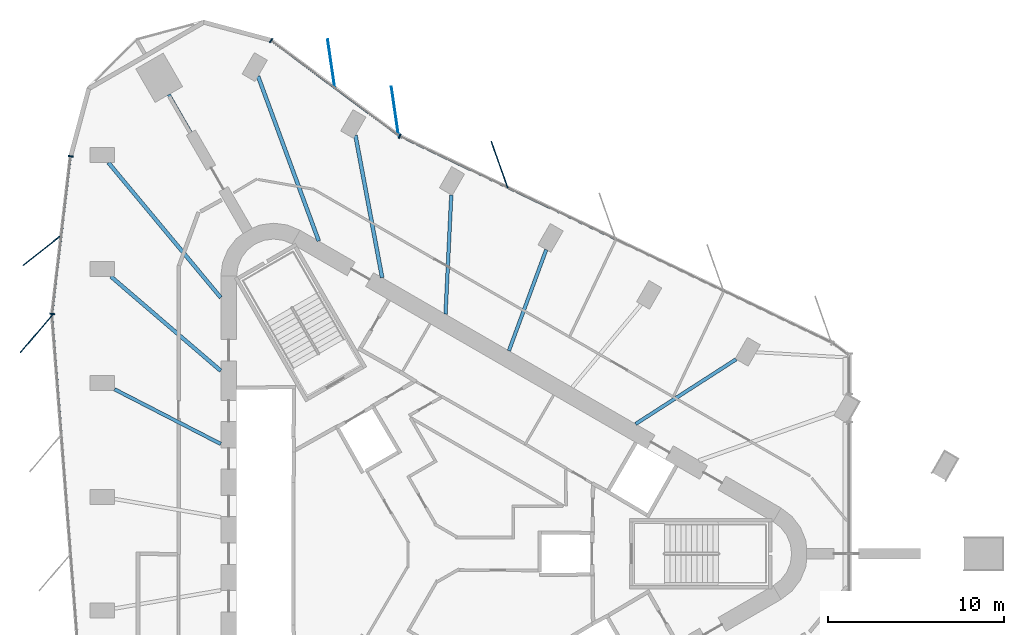
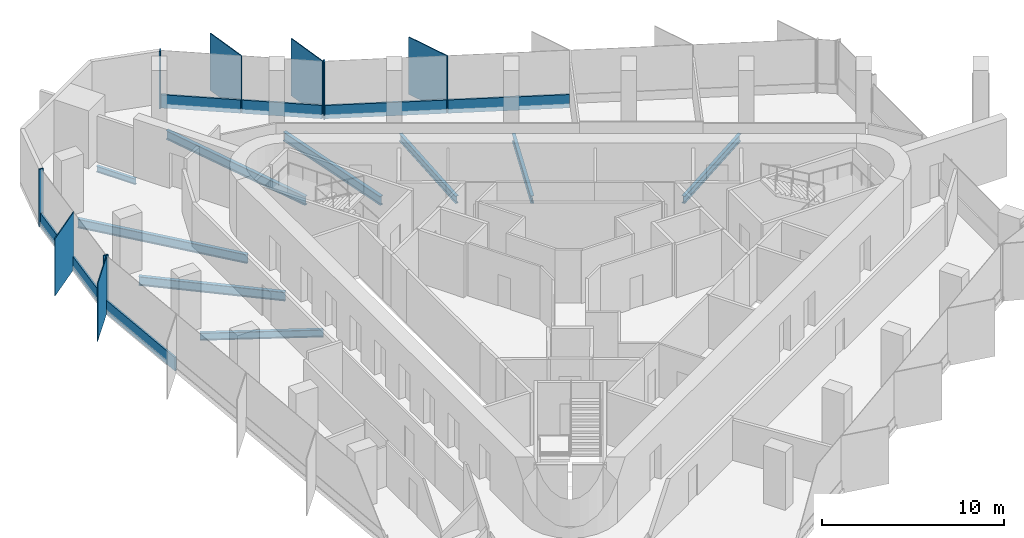
# One storey, part 4 of 12: 16 members, 9 beams, 4 elements without a shape of their own.
"""IFC4 building model written with IfcOpenShell, lengths in metres."""

from ifc_helpers import new_model, si_unit, direction, frame, origin, origin_2d, place, context, subcontext, project, spatial, rectangle, i_section, extrude, material, material_profile, profile_set, type_object, element, aggregate, save


model = new_model("IFC4")

# Units and contexts
model_context = context("Model", 3, precision=1e-05, world=origin(), true_north=direction((0.0, 1.0)))
body_context = subcontext(model_context, "Body", "Model", "MODEL_VIEW")
ifc_project = project(units=[si_unit("LENGTHUNIT", "METRE"), si_unit("AREAUNIT", "SQUARE_METRE"), si_unit("VOLUMEUNIT", "CUBIC_METRE"), si_unit("PLANEANGLEUNIT", "RADIAN"), si_unit("MASSUNIT", "GRAM", prefix="KILO")], contexts=[model_context])

# Site, building, storey
site_placement = place(None, origin())
site = spatial("IfcSite", under=ifc_project, at=site_placement, CompositionType="ELEMENT")
building_placement = place(site_placement, origin())
building = spatial("IfcBuilding", under=site, at=building_placement, Name="Tanit Gate Tower", CompositionType="ELEMENT")
storey_placement = place(building_placement, frame((0.0, 0.0, 388.39990234375)))
storey = spatial("IfcBuildingStorey", under=building, at=storey_placement, Name="L89", CompositionType="ELEMENT", Elevation=388.39990234375)

# Curtain wall, member
ifc_material_1 = material(Name="Aluminium bronze anodised and glass", Category="aluminium")
curtain_wall_type = type_object("IfcCurtainWallType", Name="Curtain wall typical high", PredefinedType="NOTDEFINED", material=ifc_material_1)
curtain_wall_1_placement = place(storey_placement, origin())
curtain_wall_1 = element("IfcCurtainWall", 1, at=curtain_wall_1_placement, inside=storey, type_object=curtain_wall_type, Name="Curtain wall L89 NE2", PredefinedType="NOTDEFINED")
ifc_material_2 = material(Name="Aluminium bronze anodised", Category="aluminium")
ifc_material_profile_1 = material_profile(ifc_material_2, rectangle(XDim=2.800048828125, YDim=0.055908203125, at=origin_2d()), Name="56x2800 bronze fin mullion")
ifc_profile_set_1 = profile_set([ifc_material_profile_1], Name="Aluminium bronze anodised")
member_type_1 = type_object("IfcMemberType", Name="FIN MULLION 56x2800 bronze", PredefinedType="MULLION", material=ifc_profile_set_1)
member_1_placement = place(storey_placement, frame((3.719970703125, 22.080322265625, -0.2998046875), z_axis=(0.0, 0.0, 1.0), x_axis=(0.333220063881, -0.942849080727, 0.0)))
member_1 = element("IfcMember", 2, at=member_1_placement, type_object=member_type_1, Name="Fin mullion L89 NE2.4", PredefinedType="MULLION", context=body_context, shape_type="SweptSolid", body=[
    extrude(rectangle(XDim=2.800048828125, YDim=0.055908203125, at=origin_2d()), origin(), (0.0, 0.0, 1.0), 3.849853515625),
])

# Curtain wall, members
curtain_wall_2_placement = place(storey_placement, origin())
curtain_wall_2 = element("IfcCurtainWall", 3, at=curtain_wall_2_placement, inside=storey, type_object=curtain_wall_type, Name="Curtain wall L89 NE3", PredefinedType="NOTDEFINED")
member_2_placement = place(storey_placement, frame((-2.212646484375, 25.11181640625, -0.2998046875), z_axis=(0.0, 0.0, 1.0), x_axis=(0.144707417984, -0.989474488393, 0.0)))
member_2 = element("IfcMember", 4, at=member_2_placement, type_object=member_type_1, Name="Fin mullion L89 NE3.1", PredefinedType="MULLION", context=body_context, shape_type="SweptSolid", body=[
    extrude(rectangle(XDim=2.800048828125, YDim=0.055908203125, at=origin_2d()), origin(), (0.0, 0.0, 1.0), 3.849853515625),
])
member_3_placement = place(storey_placement, frame((-5.82958984375, 27.8056640625, -0.2998046875), z_axis=(0.0, 0.0, 1.0), x_axis=(0.144707417984, -0.989474488393, 0.0)))
member_3 = element("IfcMember", 5, at=member_3_placement, type_object=member_type_1, Name="Fin mullion L89 NE3.2", PredefinedType="MULLION", context=body_context, shape_type="SweptSolid", body=[
    extrude(rectangle(XDim=2.800048828125, YDim=0.055908203125, at=origin_2d()), origin(), (0.0, 0.0, 1.0), 3.849853515625),
])

# Curtain wall, member
curtain_wall_3_placement = place(storey_placement, origin())
curtain_wall_3 = element("IfcCurtainWall", 6, at=curtain_wall_3_placement, inside=storey, type_object=curtain_wall_type, Name="Curtain wall L89 W1", PredefinedType="NOTDEFINED")
member_4_placement = place(storey_placement, frame((-22.227294921875, 17.230712890625, -0.2998046875), z_axis=(0.0, 0.0, 1.0), x_axis=(0.784556334353, 0.620057544286, 0.0)))
member_4 = element("IfcMember", 7, at=member_4_placement, type_object=member_type_1, Name="Fin mullion L89 W1.2", PredefinedType="MULLION", context=body_context, shape_type="SweptSolid", body=[
    extrude(rectangle(XDim=2.800048828125, YDim=0.055908203125, at=origin_2d()), origin(), (0.0, 0.0, 1.0), 3.849853515625),
])

curtain_wall_4_placement = place(storey_placement, origin())
curtain_wall_4 = element("IfcCurtainWall", 8, at=curtain_wall_4_placement, inside=storey, type_object=curtain_wall_type, Name="Curtain wall L89 W2", PredefinedType="NOTDEFINED")
member_5_placement = place(storey_placement, frame((-22.567138671875, 12.48291015625, -0.2998046875), z_axis=(0.0, 0.0, 1.0), x_axis=(0.649921223903, 0.760001580735, 0.0)))
member_5 = element("IfcMember", 9, at=member_5_placement, type_object=member_type_1, Name="Fin mullion L89 W2.1", PredefinedType="MULLION", context=body_context, shape_type="SweptSolid", body=[
    extrude(rectangle(XDim=2.800048828125, YDim=0.055908203125, at=origin_2d()), origin(), (0.0, 0.0, 1.0), 3.849853515625),
])

# Member
ifc_material_3 = material(Name="Aluminium bronze anodised", Category="aluminium")
ifc_material_profile_2 = material_profile(ifc_material_3, rectangle(XDim=0.280029296875, YDim=0.080078125, at=origin_2d()), Name="80x280 bronze mullion")
ifc_profile_set_2 = profile_set([ifc_material_profile_2], Name="Aluminium bronze anodised")
member_type_2 = type_object("IfcMemberType", Name="Mullion 80x280 typical high", PredefinedType="MULLION", material=ifc_profile_set_2)
member_6_placement = place(storey_placement, frame((-1.94482421875, 23.704833984375, -0.2998046875), z_axis=(0.0, 0.0, 1.0), x_axis=(-0.431072811819, -0.902317145415, 0.0)))
member_6 = element("IfcMember", 10, at=member_6_placement, type_object=member_type_2, Name="Mullion L89 NE2.5", PredefinedType="MULLION", context=body_context, shape_type="SweptSolid", body=[
    extrude(rectangle(XDim=0.280029296875, YDim=0.080078125, at=origin_2d()), origin(), (0.0, 0.0, 1.0), 3.849853515625),
])

member_7_placement = place(storey_placement, frame((-9.246826171875, 29.134033203125, -0.2998046875), z_axis=(0.0, 0.0, 1.0), x_axis=(-0.59734052401, -0.801987717098, 0.0)))
member_7 = element("IfcMember", 11, at=member_7_placement, type_object=member_type_2, Name="Mullion L89 NE3.3", PredefinedType="MULLION", context=body_context, shape_type="SweptSolid", body=[
    extrude(rectangle(XDim=0.280029296875, YDim=0.080078125, at=origin_2d()), origin(), (0.0, 0.0, 1.0), 3.849853515625),
])

member_8_placement = place(storey_placement, frame((-20.620361328125, 22.561279296875, -0.2998046875), z_axis=(0.0, 0.0, 1.0), x_axis=(0.993211998535, -0.116318209953, 0.0)))
member_8 = element("IfcMember", 12, at=member_8_placement, type_object=member_type_2, Name="Mullion L89 W1.1", PredefinedType="MULLION", context=body_context, shape_type="SweptSolid", body=[
    extrude(rectangle(XDim=0.280029296875, YDim=0.080078125, at=origin_2d()), origin(), (0.0, 0.0, 1.0), 3.849853515625),
])

member_9_placement = place(storey_placement, frame((-21.668701171875, 13.611572265625, -0.2998046875), z_axis=(0.0, 0.0, 1.0), x_axis=(0.993211998535, -0.116318209953, 0.0)))
member_9 = element("IfcMember", 13, at=member_9_placement, type_object=member_type_2, Name="Mullion L89 W1.3", PredefinedType="MULLION", context=body_context, shape_type="SweptSolid", body=[
    extrude(rectangle(XDim=0.280029296875, YDim=0.080078125, at=origin_2d()), origin(), (0.0, 0.0, 1.0), 3.849853515625),
])

# Beams
ifc_material_4 = material(Name="Steel S355", Category="steel")
ifc_material_profile_3 = material_profile(ifc_material_4, i_section(OverallWidth=0.179931640625, OverallDepth=0.39990234375, WebThickness=0.008544921875, FlangeThickness=0.013427734375, FilletRadius=0.02099609375, at=origin_2d()), Name="IPE 400")
ifc_profile_set_3 = profile_set([ifc_material_profile_3], Name="Steel S355")
beam_type_1 = type_object("IfcBeamType", Name="RADIAL GIRDER IPE 400 S355", PredefinedType="BEAM", material=ifc_profile_set_3)
beam_1_placement = place(storey_placement, frame((-15.0478515625, 26.063720703125, -0.5), z_axis=(0.499965672037, -0.866045222136, 0.0), x_axis=(0.866045222136, 0.499965672037, 0.0)))
element("IfcBeam", 14, at=beam_1_placement, inside=storey, type_object=beam_type_1, Name="RADIAL GIRDER", PredefinedType="BEAM", context=body_context, shape_type="SweptSolid", body=[
    extrude(i_section(OverallWidth=0.179931640625, OverallDepth=0.39990234375, WebThickness=0.008544921875, FlangeThickness=0.013427734375, FilletRadius=0.02099609375, at=origin_2d()), origin(), (0.0, 0.0, 1.0), 2.490966796875),
])
ifc_material_5 = material(Name="Steel S355", Category="steel")
ifc_material_profile_4 = material_profile(ifc_material_5, i_section(OverallWidth=0.199951171875, OverallDepth=0.5, WebThickness=0.01025390625, FlangeThickness=0.01611328125, FilletRadius=0.02099609375, at=origin_2d()), Name="IPE 500")
ifc_profile_set_4 = profile_set([ifc_material_profile_4], Name="Steel S355")
beam_type_2 = type_object("IfcBeamType", Name="RADIAL GIRDER IPE 500 S355", PredefinedType="BEAM", material=ifc_profile_set_4)
beam_2_placement = place(storey_placement, frame((17.151611328125, 11.036865234375, -0.5498046875), z_axis=(-0.840921151668, -0.541157663419, 0.0), x_axis=(0.541157663419, -0.840921151668, 0.0)))
element("IfcBeam", 15, at=beam_2_placement, inside=storey, type_object=beam_type_2, Name="RADIAL GIRDER", PredefinedType="BEAM", context=body_context, shape_type="SweptSolid", body=[
    extrude(i_section(OverallWidth=0.199951171875, OverallDepth=0.5, WebThickness=0.01025390625, FlangeThickness=0.01611328125, FilletRadius=0.02099609375, at=origin_2d()), origin(), (0.0, 0.0, 1.0), 6.784423828125),
])
beam_3_placement = place(storey_placement, frame((6.3720703125, 17.260498046875, -0.5498046875), z_axis=(-0.346331956525, -0.938112027366, 0.0), x_axis=(0.938112027366, -0.346331956525, 0.0)))
element("IfcBeam", 16, at=beam_3_placement, inside=storey, type_object=beam_type_2, Name="RADIAL GIRDER", PredefinedType="BEAM", context=body_context, shape_type="SweptSolid", body=[
    extrude(i_section(OverallWidth=0.199951171875, OverallDepth=0.5, WebThickness=0.01025390625, FlangeThickness=0.01611328125, FilletRadius=0.02099609375, at=origin_2d()), origin(), (0.0, 0.0, 1.0), 6.1201171875),
])
for number, where, z_axis, x_axis, name in (
    (17, (0.982177734375, 20.372314453125, -0.5498046875), (-0.048148149824, -0.998840205272, 0.0), (0.998840205272, -0.048148149824, 0.0), "RADIAL GIRDER"),
    (18, (-18.134033203125, 9.33544921875, -0.5498046875), (0.889089509104, -0.457733377416, 0.0), (0.457733377416, 0.889089509104, 0.0), "RADIAL GIRDER"),
):
    element("IfcBeam", number, at=place(storey_placement, frame(where, z_axis=z_axis, x_axis=x_axis)), inside=storey, type_object=beam_type_2, Name=name, PredefinedType="BEAM", context=body_context, shape_type="SweptSolid", body=[
        extrude(i_section(OverallWidth=0.199951171875, OverallDepth=0.5, WebThickness=0.01025390625, FlangeThickness=0.01611328125, FilletRadius=0.02099609375, at=origin_2d()), origin(), (0.0, 0.0, 1.0), 6.784423828125),
    ])
ifc_material_6 = material(Name="Steel S355", Category="steel")
ifc_material_profile_5 = material_profile(ifc_material_6, i_section(OverallWidth=0.219970703125, OverallDepth=0.60009765625, WebThickness=0.011962890625, FlangeThickness=0.01904296875, FilletRadius=0.02392578125, at=origin_2d()), Name="IPE 600")
ifc_profile_set_5 = profile_set([ifc_material_profile_5], Name="Steel S355")
beam_type_3 = type_object("IfcBeamType", Name="RADIAL GIRDER IPE 600 S355", PredefinedType="BEAM", material=ifc_profile_set_5)
beam_4_placement = place(storey_placement, frame((-4.45751953125, 23.7490234375, -0.599853515625), z_axis=(0.184498405984, -0.982832812939, 0.0), x_axis=(0.982832812939, 0.184498405984, 0.0)))
element("IfcBeam", 19, at=beam_4_placement, inside=storey, type_object=beam_type_3, Name="RADIAL GIRDER", PredefinedType="BEAM", context=body_context, shape_type="SweptSolid", body=[
    extrude(i_section(OverallWidth=0.219970703125, OverallDepth=0.60009765625, WebThickness=0.011962890625, FlangeThickness=0.01904296875, FilletRadius=0.02392578125, at=origin_2d()), origin(), (0.0, 0.0, 1.0), 8.217529296875),
])
for number, where, z_axis, x_axis, name in (
    (20, (-9.984619140625, 27.103515625, -0.599853515625), (0.345682660263, -0.938351479134, 0.0), (0.938351479134, 0.345682660263, 0.0), "RADIAL GIRDER"),
    (21, (-18.480224609375, 22.198486328125, -0.599853515625), (0.639810946261, -0.768532337019, 0.0), (0.768532337019, 0.639810946261, 0.0), "RADIAL GIRDER"),
):
    element("IfcBeam", number, at=place(storey_placement, frame(where, z_axis=z_axis, x_axis=x_axis)), inside=storey, type_object=beam_type_3, Name=name, PredefinedType="BEAM", context=body_context, shape_type="SweptSolid", body=[
        extrude(i_section(OverallWidth=0.219970703125, OverallDepth=0.60009765625, WebThickness=0.011962890625, FlangeThickness=0.01904296875, FilletRadius=0.02392578125, at=origin_2d()), origin(), (0.0, 0.0, 1.0), 9.96875),
    ])
beam_5_placement = place(storey_placement, frame((-18.338623046875, 15.734619140625, -0.599853515625), z_axis=(0.758929352331, -0.651172971008, 0.0), x_axis=(0.651172971008, 0.758929352331, 0.0)))
element("IfcBeam", 22, at=beam_5_placement, inside=storey, type_object=beam_type_3, Name="RADIAL GIRDER", PredefinedType="BEAM", context=body_context, shape_type="SweptSolid", body=[
    extrude(i_section(OverallWidth=0.219970703125, OverallDepth=0.60009765625, WebThickness=0.011962890625, FlangeThickness=0.01904296875, FilletRadius=0.02392578125, at=origin_2d()), origin(), (0.0, 0.0, 1.0), 8.217529296875),
])

# Member
ifc_material_7 = material(Name="Aluminium bronze anodised", Category="aluminium")
ifc_material_profile_6 = material_profile(ifc_material_7, rectangle(XDim=0.1201171875, YDim=0.89990234375, at=origin_2d()), Name="120x900 bronze transom")
ifc_profile_set_6 = profile_set([ifc_material_profile_6], Name="Aluminium bronze anodised")
member_type_3 = type_object("IfcMemberType", Name="Transom 120x900 typical high", PredefinedType="USERDEFINED", material=ifc_profile_set_6)
member_10_placement = place(storey_placement, frame((10.2685546875, 17.8701171875, 0.150146484375), z_axis=(-0.902312153024, 0.431083261685, 0.0), x_axis=(-0.431083261685, -0.902312153024, 0.0)))
member_10 = element("IfcMember", 23, at=member_10_placement, type_object=member_type_3, Name="Transom L89 NE2.3", ObjectType="TRANSOM", PredefinedType="USERDEFINED", context=body_context, shape_type="SweptSolid", body=[
    extrude(rectangle(XDim=0.1201171875, YDim=0.89990234375, at=origin_2d()), origin(), (0.0, 0.0, 1.0), 6.707763671875),
])

member_11_placement = place(storey_placement, frame((4.14404296875, 20.796142578125, 0.150146484375), z_axis=(-0.902318916403, 0.431069104787, 0.0), x_axis=(-0.431069104787, -0.902318916403, 0.0)))
member_11 = element("IfcMember", 24, at=member_11_placement, type_object=member_type_3, Name="Transom L89 NE2.4", ObjectType="TRANSOM", PredefinedType="USERDEFINED", context=body_context, shape_type="SweptSolid", body=[
    extrude(rectangle(XDim=0.1201171875, YDim=0.89990234375, at=origin_2d()), origin(), (0.0, 0.0, 1.0), 6.7080078125),
])

aggregate(curtain_wall_1, [member_1, member_6, member_10, member_11])

member_12_placement = place(storey_placement, frame((-2.044921875, 23.77001953125, 0.150146484375), z_axis=(-0.801979633129, 0.59735137737, 0.0), x_axis=(-0.59735137737, -0.801979633129, 0.0)))
member_12 = element("IfcMember", 25, at=member_12_placement, type_object=member_type_3, Name="Transom L89 NE3.1", ObjectType="TRANSOM", PredefinedType="USERDEFINED", context=body_context, shape_type="SweptSolid", body=[
    extrude(rectangle(XDim=0.1201171875, YDim=0.89990234375, at=origin_2d()), origin(), (0.0, 0.0, 1.0), 4.429931640625),
])

member_13_placement = place(storey_placement, frame((-5.661865234375, 26.4638671875, 0.150146484375), z_axis=(-0.801999297117, 0.597324976393, 0.0), x_axis=(-0.597324976393, -0.801999297117, 0.0)))
member_13 = element("IfcMember", 26, at=member_13_placement, type_object=member_type_3, Name="Transom L89 NE3.2", ObjectType="TRANSOM", PredefinedType="USERDEFINED", context=body_context, shape_type="SweptSolid", body=[
    extrude(rectangle(XDim=0.1201171875, YDim=0.89990234375, at=origin_2d()), origin(), (0.0, 0.0, 1.0), 4.43017578125),
])

aggregate(curtain_wall_2, [member_2, member_3, member_7, member_12, member_13])

member_14_placement = place(storey_placement, frame((-20.625, 22.521484375, 0.150146484375), z_axis=(-0.116351490512, -0.993208100378, 0.0), x_axis=(0.993208100378, -0.116351490512, 0.0)))
member_14 = element("IfcMember", 27, at=member_14_placement, type_object=member_type_3, Name="Transom L89 W1.1", ObjectType="TRANSOM", PredefinedType="USERDEFINED", context=body_context, shape_type="SweptSolid", body=[
    extrude(rectangle(XDim=0.1201171875, YDim=0.89990234375, at=origin_2d()), origin(), (0.0, 0.0, 1.0), 4.42529296875),
])

member_15_placement = place(storey_placement, frame((-21.149169921875, 18.046630859375, 0.150146484375), z_axis=(-0.116351490512, -0.993208100378, 0.0), x_axis=(0.993208100378, -0.116351490512, 0.0)))
member_15 = element("IfcMember", 28, at=member_15_placement, type_object=member_type_3, Name="Transom L89 W1.2", ObjectType="TRANSOM", PredefinedType="USERDEFINED", context=body_context, shape_type="SweptSolid", body=[
    extrude(rectangle(XDim=0.1201171875, YDim=0.89990234375, at=origin_2d()), origin(), (0.0, 0.0, 1.0), 4.42529296875),
])

aggregate(curtain_wall_3, [member_8, member_4, member_9, member_14, member_15])

member_16_placement = place(storey_placement, frame((-21.6669921875, 13.4921875, 0.150146484375), z_axis=(0.077851491829, -0.996964966897, 0.0), x_axis=(0.996964966897, 0.077851491829, 0.0)))
member_16 = element("IfcMember", 29, at=member_16_placement, type_object=member_type_3, Name="Transom L89 W2.1", ObjectType="TRANSOM", PredefinedType="USERDEFINED", context=body_context, shape_type="SweptSolid", body=[
    extrude(rectangle(XDim=0.1201171875, YDim=0.89990234375, at=origin_2d()), origin(), (0.0, 0.0, 1.0), 6.707763671875),
])

aggregate(curtain_wall_4, [member_5, member_16])

save(model, "model.ifc")
